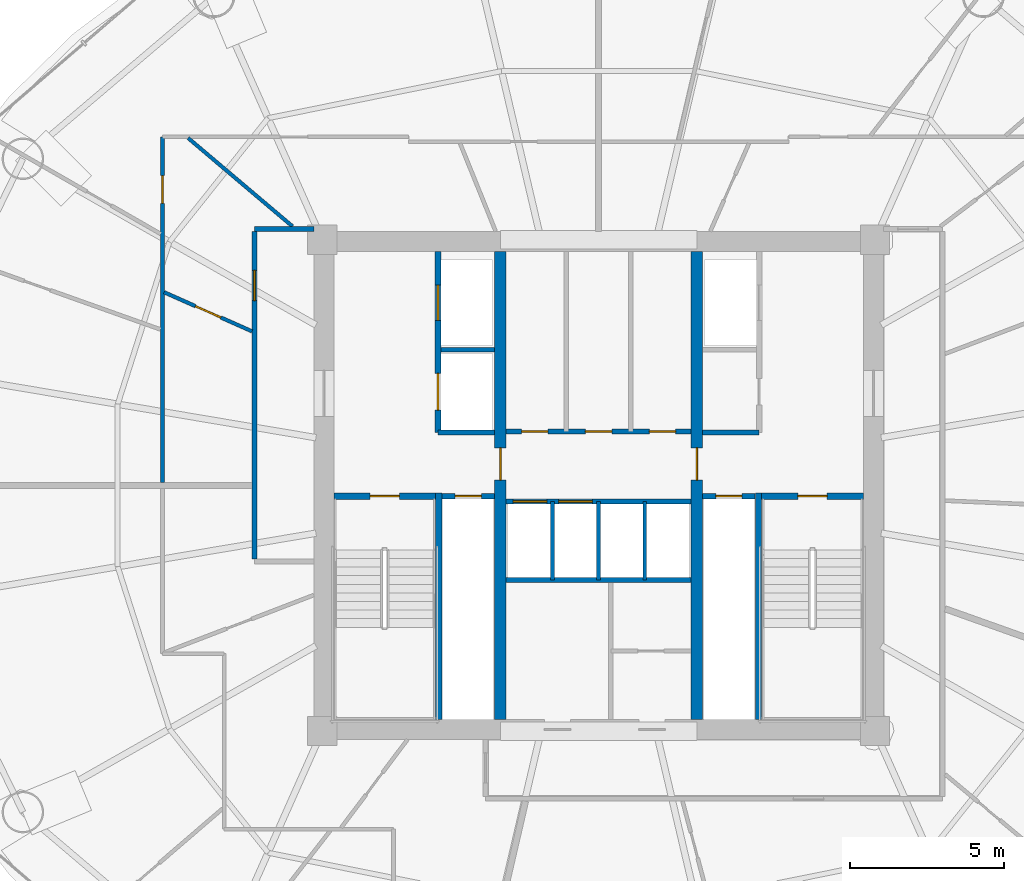
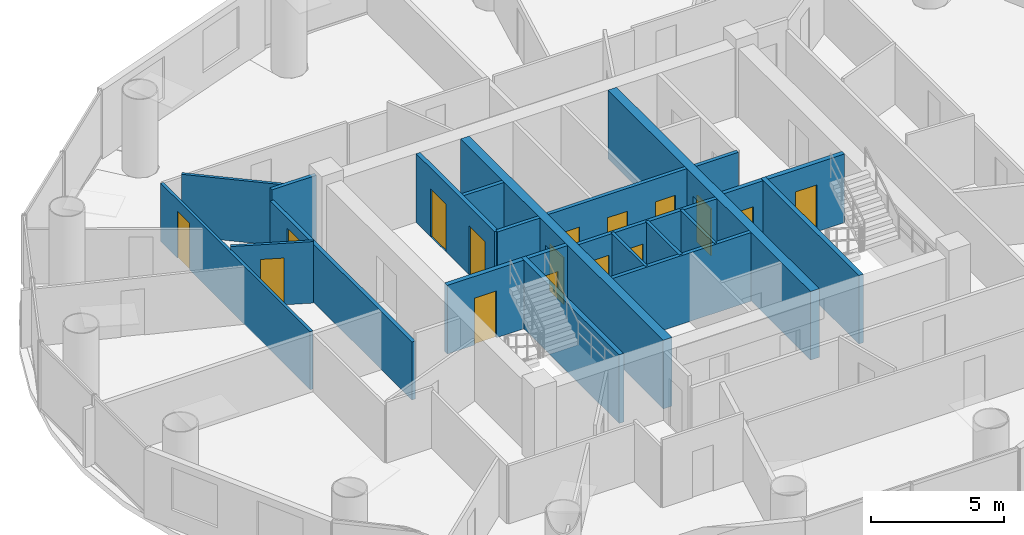
# One storey, part 21 of 26: 23 walls, 16 doors, 16 openings.
"""IFC4 building model written with IfcOpenShell, lengths in metres."""

from ifc_helpers import new_model, si_unit, direction, frame, frame_2d, origin, place, context, subcontext, project, spatial, rectangle, extrude, source, transform, mapped, material, layer, layer_set, type_object, element, fill, save


model = new_model("IFC4")

# Units and contexts
model_context = context("Model", 3, precision=1e-05, world=origin(), true_north=direction((-0.2419218956, 0.970295726276)))
body_context = subcontext(model_context, "Body", "Model", "MODEL_VIEW")
ifc_project = project(units=[si_unit("LENGTHUNIT", "METRE"), si_unit("AREAUNIT", "SQUARE_METRE"), si_unit("VOLUMEUNIT", "CUBIC_METRE"), si_unit("PLANEANGLEUNIT", "RADIAN"), si_unit("MASSUNIT", "GRAM", prefix="KILO")], contexts=[model_context])

# Site, building, storey
site_placement = place(None, origin())
site = spatial("IfcSite", under=ifc_project, at=site_placement, CompositionType="ELEMENT")
building_placement = place(site_placement, origin())
building = spatial("IfcBuilding", under=site, at=building_placement, Name="Cobrevalo Terracotta Tower", CompositionType="ELEMENT")
storey_placement = place(building_placement, frame((0.0, 0.0, 182.199951171875)))
storey = spatial("IfcBuildingStorey", under=building, at=storey_placement, Name="L48", CompositionType="ELEMENT", Elevation=182.199951171875)

# Walls
ifc_material_1 = material(Name="Gypsum board on steel stud", Category="steel")
ifc_layer_1 = layer(ifc_material_1, 0.159912109375)
ifc_layer_set_1 = layer_set([ifc_layer_1], Name="Gypsum board on steel stud")
wall_type_1 = type_object("IfcWallType", Name="Fire-rated corridor acoustic partition wall 160 mm", PredefinedType="PARTITIONING", material=ifc_layer_set_1)
wall_1_placement = place(storey_placement, frame((32.860107421875, 31.219970703125, 0.0), z_axis=(0.0, 0.0, 1.0), x_axis=(1.0, 0.0, 0.0)))
element("IfcWall", 1, at=wall_1_placement, inside=storey, type_object=wall_type_1, Name="L48 interior partition IW-L48-FF1-M", PredefinedType="PARTITIONING", context=body_context, shape_type="SweptSolid", body=[
    extrude(rectangle(XDim=1.75, YDim=0.159912109375, at=frame_2d((0.875, 0.0))), origin(), (0.0, 0.0, 1.0), 3.150146484375),
])
for number, where, z_axis, x_axis, name in (
    (2, (32.77001953125, 28.52001953125, 0.0), (0.0, 0.0, 1.0), (1.0, 0.0, 0.0), "L48 interior partition IW-L48-FF1-S"),
    (3, (41.389892578125, 28.52001953125, 0.0), (0.0, 0.0, 1.0), (1.0, 0.0, 0.0), "L48 interior partition IW-L48-FF2-S"),
):
    element("IfcWall", number, at=place(storey_placement, frame(where, z_axis=z_axis, x_axis=x_axis)), inside=storey, type_object=wall_type_1, Name=name, PredefinedType="PARTITIONING", context=body_context, shape_type="SweptSolid", body=[
        extrude(rectangle(XDim=1.840087890625, YDim=0.159912109375, at=frame_2d((0.919921875, 0.0))), origin(), (0.0, 0.0, 1.0), 3.150146484375),
    ])

# Wall, openings, doors
wall_2_placement = place(storey_placement, frame((34.989990234375, 28.56005859375, 0.0), z_axis=(0.0, 0.0, 1.0), x_axis=(1.0, 0.0, 0.0)))
wall_2 = element("IfcWall", 4, at=wall_2_placement, inside=storey, type_object=wall_type_1, Name="L48 interior partition IW-L48-LB-S", PredefinedType="PARTITIONING", context=body_context, shape_type="SweptSolid", body=[
    extrude(rectangle(XDim=6.02001953125, YDim=0.159912109375, at=frame_2d((3.010009765625, 0.0))), origin(), (0.0, 0.0, 1.0), 3.150146484375),
])
opening_1_placement = place(wall_2_placement, frame((0.5048828125, 0.0, 0.0)))
opening_1 = element("IfcOpeningElement", 5, at=opening_1_placement, cuts=wall_2, Name="Opening ID-22", PredefinedType="OPENING", context=body_context, shape_type="SweptSolid", body=[
    extrude(rectangle(XDim=0.85009765625, YDim=2.10009765625, at=frame_2d((0.425048828125, 1.050048828125))), frame((0.0, 0.08984375, 0.0), z_axis=(0.0, -1.0, 0.0), x_axis=(1.0, 0.0, 0.0)), (0.0, 0.0, 1.0), 0.179931640625),
])
opening_2_placement = place(wall_2_placement, frame((2.580078125, 0.0, 0.0)))
opening_2 = element("IfcOpeningElement", 6, at=opening_2_placement, cuts=wall_2, Name="Opening ID-07", PredefinedType="OPENING", context=body_context, shape_type="SweptSolid", body=[
    extrude(rectangle(XDim=0.860107421875, YDim=2.10009765625, at=frame_2d((0.43017578125, 1.050048828125))), frame((0.0, 0.08984375, 0.0), z_axis=(0.0, -1.0, 0.0), x_axis=(1.0, 0.0, 0.0)), (0.0, 0.0, 1.0), 0.179931640625),
])
opening_3_placement = place(wall_2_placement, frame((4.6650390625, 0.0, 0.0)))
opening_3 = element("IfcOpeningElement", 7, at=opening_3_placement, cuts=wall_2, Name="Opening ID-22", PredefinedType="OPENING", context=body_context, shape_type="SweptSolid", body=[
    extrude(rectangle(XDim=0.85009765625, YDim=2.10009765625, at=frame_2d((0.425048828125, 1.050048828125))), frame((0.0, 0.08984375, 0.0), z_axis=(0.0, -1.0, 0.0), x_axis=(1.0, 0.0, 0.0)), (0.0, 0.0, 1.0), 0.179931640625),
])
ifc_material_2 = material(Name="Powder-coated steel", Category="steel")
door_type_1 = type_object("IfcDoorType", Name="Riser shaft & meter closet fire access door 850x2100 EI 60", OperationType="NOTDEFINED", PredefinedType="DOOR", material=ifc_material_2)
shared_shape_1 = source(origin(), body_context, "Body", "SweptSolid", [
    extrude(rectangle(XDim=0.85009765625, YDim=2.10009765625, at=frame_2d((0.425048828125, 1.050048828125))), frame((0.0, 0.02490234375, 0.0), z_axis=(0.0, -1.0, 0.0), x_axis=(1.0, 0.0, 0.0)), (0.0, 0.0, 1.0), 0.050048828125),
])
door_1_placement = place(opening_1_placement, origin())
door_1 = element("IfcDoor", 8, at=door_1_placement, inside=storey, type_object=door_type_1, Name="L48 core service door Housekeeping Linen Store", OperationType="SINGLE_SWING_LEFT", OverallHeight=2.10009765625, OverallWidth=0.85009765625, PredefinedType="DOOR", context=body_context, shape_type="MappedRepresentation", body=[
    mapped(shared_shape_1, transform((0.0, 0.0, 0.0), scale=1.0)),
])
fill(opening_1, door_1)
door_2_placement = place(opening_3_placement, origin())
door_2 = element("IfcDoor", 9, at=door_2_placement, inside=storey, type_object=door_type_1, Name="L48 core service door Floor BMS Mechanical Plant", OperationType="SINGLE_SWING_LEFT", OverallHeight=2.10009765625, OverallWidth=0.85009765625, PredefinedType="DOOR", context=body_context, shape_type="MappedRepresentation", body=[
    mapped(shared_shape_1, transform((0.0, 0.0, 0.0), scale=1.0)),
])
fill(opening_3, door_2)
ifc_material_3 = material(Name="Fire-rated moisture-sealed timber", Category="wood")
door_type_2 = type_object("IfcDoorType", Name="Core & podium fire-rated accessible WC door 860x2100 EI 60", OperationType="NOTDEFINED", PredefinedType="DOOR", material=ifc_material_3)
shared_shape_2 = source(origin(), body_context, "Body", "SweptSolid", [
    extrude(rectangle(XDim=0.860107421875, YDim=2.10009765625, at=frame_2d((0.43017578125, 1.050048828125))), frame((0.0, 0.02490234375, 0.0), z_axis=(0.0, -1.0, 0.0), x_axis=(1.0, 0.0, 0.0)), (0.0, 0.0, 1.0), 0.050048828125),
])
door_3_placement = place(opening_2_placement, origin())
door_3 = element("IfcDoor", 10, at=door_3_placement, inside=storey, type_object=door_type_2, Name="L48 core service door Floor Service Toilet WC", OperationType="SINGLE_SWING_RIGHT", OverallHeight=2.10009765625, OverallWidth=0.860107421875, PredefinedType="DOOR", context=body_context, shape_type="MappedRepresentation", body=[
    mapped(shared_shape_2, transform((0.0, 0.0, 0.0), scale=1.0)),
])
fill(opening_2, door_3)

wall_3_placement = place(storey_placement, frame((34.989990234375, 26.280029296875, 0.0), z_axis=(0.0, 0.0, 1.0), x_axis=(1.0, 0.0, 0.0)))
wall_3 = element("IfcWall", 11, at=wall_3_placement, inside=storey, type_object=wall_type_1, Name="L48 interior partition IW-L48-MB-N", PredefinedType="PARTITIONING", context=body_context, shape_type="SweptSolid", body=[
    extrude(rectangle(XDim=6.02001953125, YDim=0.159912109375, at=frame_2d((3.010009765625, 0.0))), origin(), (0.0, 0.0, 1.0), 3.150146484375),
])
opening_4_placement = place(wall_3_placement, frame((0.22509765625, 0.0, 0.0)))
opening_4 = element("IfcOpeningElement", 12, at=opening_4_placement, cuts=wall_3, Name="Opening LD-01", PredefinedType="OPENING", context=body_context, shape_type="SweptSolid", body=[
    extrude(rectangle(XDim=1.10009765625, YDim=2.199951171875, at=frame_2d((0.550048828125, 1.10009765625))), frame((0.0, 0.08984375, 0.0), z_axis=(0.0, -1.0, 0.0), x_axis=(1.0, 0.0, 0.0)), (0.0, 0.0, 1.0), 0.179931640625),
])
opening_5_placement = place(wall_3_placement, frame((1.705078125, 0.0, 0.0)))
opening_5 = element("IfcOpeningElement", 13, at=opening_5_placement, cuts=wall_3, Name="Opening LD-01", PredefinedType="OPENING", context=body_context, shape_type="SweptSolid", body=[
    extrude(rectangle(XDim=1.10009765625, YDim=2.199951171875, at=frame_2d((0.550048828125, 1.10009765625))), frame((0.0, 0.08984375, 0.0), z_axis=(0.0, -1.0, 0.0), x_axis=(1.0, 0.0, 0.0)), (0.0, 0.0, 1.0), 0.179931640625),
])
ifc_material_4 = material(Name="Brushed stainless steel", Category="steel")
door_type_3 = type_object("IfcDoorType", Name="Passenger lift landing bi-parting sliding door 1100x2200 EI 90", OperationType="DOUBLE_DOOR_SLIDING", PredefinedType="DOOR", material=ifc_material_4)
shared_shape_3 = source(origin(), body_context, "Body", "SweptSolid", [
    extrude(rectangle(XDim=1.10009765625, YDim=2.199951171875, at=frame_2d((0.550048828125, 1.10009765625))), frame((0.0, 0.02490234375, 0.0), z_axis=(0.0, -1.0, 0.0), x_axis=(1.0, 0.0, 0.0)), (0.0, 0.0, 1.0), 0.050048828125),
])
door_4_placement = place(opening_4_placement, origin())
door_4 = element("IfcDoor", 14, at=door_4_placement, inside=storey, type_object=door_type_3, Name="L48 lift landing door PL-M1", OperationType="DOUBLE_DOOR_SLIDING", OverallHeight=2.199951171875, OverallWidth=1.10009765625, PredefinedType="DOOR", context=body_context, shape_type="MappedRepresentation", body=[
    mapped(shared_shape_3, transform((0.0, 0.0, 0.0), scale=1.0)),
])
fill(opening_4, door_4)
door_5_placement = place(opening_5_placement, origin())
door_5 = element("IfcDoor", 15, at=door_5_placement, inside=storey, type_object=door_type_3, Name="L48 lift landing door PL-M2", OperationType="DOUBLE_DOOR_SLIDING", OverallHeight=2.199951171875, OverallWidth=1.10009765625, PredefinedType="DOOR", context=body_context, shape_type="MappedRepresentation", body=[
    mapped(shared_shape_3, transform((0.0, 0.0, 0.0), scale=1.0)),
])
fill(opening_5, door_5)

# Wall
wall_4_placement = place(storey_placement, frame((34.989990234375, 23.719970703125, 0.0), z_axis=(0.0, 0.0, 1.0), x_axis=(1.0, 0.0, 0.0)))
element("IfcWall", 16, at=wall_4_placement, inside=storey, type_object=wall_type_1, Name="L48 interior partition IW-L48-MB-S", PredefinedType="PARTITIONING", context=body_context, shape_type="SweptSolid", body=[
    extrude(rectangle(XDim=6.02001953125, YDim=0.159912109375, at=frame_2d((3.010009765625, 0.0))), origin(), (0.0, 0.0, 1.0), 3.150146484375),
])

# Wall, opening, door
wall_5_placement = place(storey_placement, frame((26.794921875, 24.39990234375, 0.0), z_axis=(0.0, 0.0, 1.0), x_axis=(0.0, 1.0, 0.0)))
wall_5 = element("IfcWall", 17, at=wall_5_placement, inside=storey, type_object=wall_type_1, Name="L48 interior partition IW-L48-COR-W", PredefinedType="PARTITIONING", context=body_context, shape_type="SweptSolid", body=[
    extrude(rectangle(XDim=10.675048828125, YDim=0.159912109375, at=frame_2d((5.33740234375, 0.0))), origin(), (0.0, 0.0, 1.0), 2.666015625),
])
opening_6_placement = place(wall_5_placement, frame((8.422119140625, 0.0, 0.0)))
opening_6 = element("IfcOpeningElement", 18, at=opening_6_placement, cuts=wall_5, Name="Opening ID-05", PredefinedType="OPENING", context=body_context, shape_type="SweptSolid", body=[
    extrude(rectangle(XDim=0.97998046875, YDim=2.199951171875, at=frame_2d((0.489990234375, 1.10009765625))), frame((0.0, 0.08984375, 0.0), z_axis=(0.0, -1.0, 0.0), x_axis=(1.0, 0.0, 0.0)), (0.0, 0.0, 1.0), 0.179931640625),
])
ifc_material_5 = material(Name="Solid hardwood timber", Category="wood")
door_type_4 = type_object("IfcDoorType", Name="Residence entrance fire-rated acoustic timber door 980x2200 EI 60", OperationType="NOTDEFINED", PredefinedType="DOOR", material=ifc_material_5)
shared_shape_4 = source(origin(), body_context, "Body", "SweptSolid", [
    extrude(rectangle(XDim=0.97998046875, YDim=2.199951171875, at=frame_2d((0.489990234375, 1.10009765625))), frame((0.0, 0.02490234375, 0.0), z_axis=(0.0, -1.0, 0.0), x_axis=(1.0, 0.0, 0.0)), (0.0, 0.0, 1.0), 0.050048828125),
])
door_6_placement = place(opening_6_placement, origin())
door_6 = element("IfcDoor", 19, at=door_6_placement, inside=storey, type_object=door_type_4, Name="Flat L48B fire-rated apartment entrance door", OperationType="SINGLE_SWING_RIGHT", OverallHeight=2.199951171875, OverallWidth=0.97998046875, PredefinedType="DOOR", context=body_context, shape_type="MappedRepresentation", body=[
    mapped(shared_shape_4, transform((0.0, 0.0, 0.0), scale=1.0)),
])
fill(opening_6, door_6)

# Wall
wall_6_placement = place(storey_placement, frame((26.794921875, 35.155029296875, 0.0), z_axis=(0.0, 0.0, 1.0), x_axis=(1.0, 0.0, 0.0)))
element("IfcWall", 20, at=wall_6_placement, inside=storey, type_object=wall_type_1, Name="L48 interior partition IW-L48-COR-WN-CAP", PredefinedType="PARTITIONING", context=body_context, shape_type="SweptSolid", body=[
    extrude(rectangle(XDim=1.93017578125, YDim=0.159912109375, at=frame_2d((0.965087890625, 0.0))), origin(), (0.0, 0.0, 1.0), 3.150146484375),
])

# Wall, opening, door
ifc_layer_2 = layer(ifc_material_1, 0.179931640625)
ifc_layer_set_2 = layer_set([ifc_layer_2], Name="Gypsum board on steel stud")
wall_type_2 = type_object("IfcWallType", Name="Fire-rated shaft & lobby acoustic partition wall 180 mm", PredefinedType="PARTITIONING", material=ifc_layer_set_2)
wall_7_placement = place(storey_placement, frame((32.89990234375, 26.449951171875, 0.0), z_axis=(0.0, 0.0, 1.0), x_axis=(1.0, 0.0, 0.0)))
wall_7 = element("IfcWall", 21, at=wall_7_placement, inside=storey, type_object=wall_type_2, Name="L48 interior partition IW-L48-RSW-N", PredefinedType="PARTITIONING", context=body_context, shape_type="SweptSolid", body=[
    extrude(rectangle(XDim=1.710205078125, YDim=0.179931640625, at=frame_2d((0.85498046875, 0.0))), origin(), (0.0, 0.0, 1.0), 3.150146484375),
])
opening_7_placement = place(wall_7_placement, frame((0.429931640625, 0.0, 0.0)))
opening_7 = element("IfcOpeningElement", 22, at=opening_7_placement, cuts=wall_7, Name="Opening ID-22", PredefinedType="OPENING", context=body_context, shape_type="SweptSolid", body=[
    extrude(rectangle(XDim=0.85009765625, YDim=2.10009765625, at=frame_2d((0.425048828125, 1.050048828125))), frame((0.0, 0.10009765625, 0.0), z_axis=(0.0, -1.0, 0.0), x_axis=(1.0, 0.0, 0.0)), (0.0, 0.0, 1.0), 0.199951171875),
])
door_7_placement = place(opening_7_placement, origin())
door_7 = element("IfcDoor", 23, at=door_7_placement, inside=storey, type_object=door_type_1, Name="L48 riser access door RSW", OperationType="SINGLE_SWING_LEFT", OverallHeight=2.10009765625, OverallWidth=0.85009765625, PredefinedType="DOOR", context=body_context, shape_type="MappedRepresentation", body=[
    mapped(shared_shape_1, transform((0.0, 0.0, 0.0), scale=1.0)),
])
fill(opening_7, door_7)

wall_8_placement = place(storey_placement, frame((41.389892578125, 26.449951171875, 0.0), z_axis=(0.0, 0.0, 1.0), x_axis=(1.0, 0.0, 0.0)))
wall_8 = element("IfcWall", 24, at=wall_8_placement, inside=storey, type_object=wall_type_2, Name="L48 interior partition IW-L48-RSE-N", PredefinedType="PARTITIONING", context=body_context, shape_type="SweptSolid", body=[
    extrude(rectangle(XDim=1.710205078125, YDim=0.179931640625, at=frame_2d((0.85498046875, 0.0))), origin(), (0.0, 0.0, 1.0), 3.150146484375),
])
opening_8_placement = place(wall_8_placement, frame((0.429931640625, 0.0, 0.0)))
opening_8 = element("IfcOpeningElement", 25, at=opening_8_placement, cuts=wall_8, Name="Opening ID-22", PredefinedType="OPENING", context=body_context, shape_type="SweptSolid", body=[
    extrude(rectangle(XDim=0.85009765625, YDim=2.10009765625, at=frame_2d((0.425048828125, 1.050048828125))), frame((0.0, 0.10009765625, 0.0), z_axis=(0.0, -1.0, 0.0), x_axis=(1.0, 0.0, 0.0)), (0.0, 0.0, 1.0), 0.199951171875),
])
door_8_placement = place(opening_8_placement, origin())
door_8 = element("IfcDoor", 26, at=door_8_placement, inside=storey, type_object=door_type_1, Name="L48 riser access door RSE", OperationType="SINGLE_SWING_RIGHT", OverallHeight=2.10009765625, OverallWidth=0.85009765625, PredefinedType="DOOR", context=body_context, shape_type="MappedRepresentation", body=[
    mapped(shared_shape_1, transform((0.0, 0.0, 0.0), scale=1.0)),
])
fill(opening_8, door_8)

# Wall, openings, doors
wall_9_placement = place(storey_placement, frame((32.77001953125, 28.52001953125, 0.0), z_axis=(0.0, 0.0, 1.0), x_axis=(0.0, 1.0, 0.0)))
wall_9 = element("IfcWall", 27, at=wall_9_placement, inside=storey, type_object=wall_type_2, Name="L48 interior partition IW-L48-FF1-W", PredefinedType="PARTITIONING", context=body_context, shape_type="SweptSolid", body=[
    extrude(rectangle(XDim=5.905029296875, YDim=0.179931640625, at=frame_2d((2.95263671875, 0.0))), origin(), (0.0, 0.0, 1.0), 3.150146484375),
])
opening_9_placement = place(wall_9_placement, frame((3.655029296875, 0.0, 0.0)))
opening_9 = element("IfcOpeningElement", 28, at=opening_9_placement, cuts=wall_9, Name="Opening LD-02", PredefinedType="OPENING", context=body_context, shape_type="SweptSolid", body=[
    extrude(rectangle(XDim=1.14990234375, YDim=2.199951171875, at=frame_2d((0.574951171875, 1.10009765625))), frame((0.0, 0.10009765625, 0.0), z_axis=(0.0, -1.0, 0.0), x_axis=(1.0, 0.0, 0.0)), (0.0, 0.0, 1.0), 0.199951171875),
])
opening_10_placement = place(wall_9_placement, frame((0.72998046875, 0.0, 0.0)))
opening_10 = element("IfcOpeningElement", 29, at=opening_10_placement, cuts=wall_9, Name="Opening LD-03", PredefinedType="OPENING", context=body_context, shape_type="SweptSolid", body=[
    extrude(rectangle(XDim=1.199951171875, YDim=2.25, at=frame_2d((0.60009765625, 1.125))), frame((0.0, 0.10009765625, 0.0), z_axis=(0.0, -1.0, 0.0), x_axis=(1.0, 0.0, 0.0)), (0.0, 0.0, 1.0), 0.199951171875),
])
door_type_5 = type_object("IfcDoorType", Name="Firefighting lift landing bi-parting sliding door 1150x2200 EI 120", OperationType="DOUBLE_DOOR_SLIDING", PredefinedType="DOOR", material=ifc_material_4)
shared_shape_5 = source(origin(), body_context, "Body", "SweptSolid", [
    extrude(rectangle(XDim=1.14990234375, YDim=2.199951171875, at=frame_2d((0.574951171875, 1.10009765625))), frame((0.0, 0.02490234375, 0.0), z_axis=(0.0, -1.0, 0.0), x_axis=(1.0, 0.0, 0.0)), (0.0, 0.0, 1.0), 0.050048828125),
])
door_9_placement = place(opening_9_placement, origin())
door_9 = element("IfcDoor", 30, at=door_9_placement, inside=storey, type_object=door_type_5, Name="L48 lift landing door FF-1", OperationType="DOUBLE_DOOR_SLIDING", OverallHeight=2.199951171875, OverallWidth=1.14990234375, PredefinedType="DOOR", context=body_context, shape_type="MappedRepresentation", body=[
    mapped(shared_shape_5, transform((0.0, 0.0, 0.0), scale=1.0)),
])
fill(opening_9, door_9)
door_type_6 = type_object("IfcDoorType", Name="Service lift landing bi-parting sliding door 1200x2250 EI 120", OperationType="DOUBLE_DOOR_SLIDING", PredefinedType="DOOR", material=ifc_material_4)
shared_shape_6 = source(origin(), body_context, "Body", "SweptSolid", [
    extrude(rectangle(XDim=1.199951171875, YDim=2.25, at=frame_2d((0.60009765625, 1.125))), frame((0.0, 0.02490234375, 0.0), z_axis=(0.0, -1.0, 0.0), x_axis=(1.0, 0.0, 0.0)), (0.0, 0.0, 1.0), 0.050048828125),
])
door_10_placement = place(opening_10_placement, origin())
door_10 = element("IfcDoor", 31, at=door_10_placement, inside=storey, type_object=door_type_6, Name="L48 lift landing door SV-1", OperationType="DOUBLE_DOOR_SLIDING", OverallHeight=2.25, OverallWidth=1.199951171875, PredefinedType="DOOR", context=body_context, shape_type="MappedRepresentation", body=[
    mapped(shared_shape_6, transform((0.0, 0.0, 0.0), scale=1.0)),
])
fill(opening_10, door_10)

# Walls
ifc_material_6 = material(Name="Autoclaved aerated concrete block", Category="concrete")
ifc_layer_3 = layer(ifc_material_6, 0.1201171875)
ifc_layer_set_3 = layer_set([ifc_layer_3], Name="Autoclaved aerated concrete block")
wall_type_3 = type_object("IfcWallType", Name="Fire-rated wet-room & core service partition 120 mm", PredefinedType="PARTITIONING", material=ifc_layer_set_3)
for number, where, z_axis, x_axis, name in (
    (32, (36.5, 23.719970703125, 0.0), (0.0, 0.0, 1.0), (0.0, 1.0, 0.0), "L48 interior partition IW-L48-MB-D1"),
    (33, (39.5, 23.719970703125, 0.0), (0.0, 0.0, 1.0), (0.0, 1.0, 0.0), "L48 interior partition IW-L48-MB-D3"),
):
    element("IfcWall", number, at=place(storey_placement, frame(where, z_axis=z_axis, x_axis=x_axis)), inside=storey, type_object=wall_type_3, Name=name, PredefinedType="PARTITIONING", context=body_context, shape_type="SweptSolid", body=[
        extrude(rectangle(XDim=2.56005859375, YDim=0.1201171875, at=frame_2d((1.280029296875, 0.0))), origin(), (0.0, 0.0, 1.0), 3.150146484375),
    ])

# Wall, opening, door
ifc_material_7 = material(Name="Concrete C50", Category="concrete")
ifc_layer_4 = layer(ifc_material_7, 0.3798828125)
ifc_layer_set_4 = layer_set([ifc_layer_4], Name="Concrete C50")
wall_type_4 = type_object("IfcWallType", Name="Internal core shear web wall 380 mm Concrete C50", PredefinedType="SHEAR", material=ifc_layer_set_4)
wall_10_placement = place(storey_placement, frame((34.800048828125, 19.175048828125, 0.0), z_axis=(0.0, 0.0, 1.0), x_axis=(0.0, 1.0, 0.0)))
wall_10 = element("IfcWall", 34, at=wall_10_placement, inside=storey, type_object=wall_type_4, Name="L48 internal core shear wall WEB-W", PredefinedType="SHEAR", context=body_context, shape_type="SweptSolid", body=[
    extrude(rectangle(XDim=15.25, YDim=0.3798828125, at=frame_2d((7.625, 0.0))), origin(), (0.0, 0.0, 1.0), 3.150146484375),
])
opening_11_placement = place(wall_10_placement, frame((7.800048828125, 0.0, 0.0)))
opening_11 = element("IfcOpeningElement", 35, at=opening_11_placement, cuts=wall_10, Name="Opening ID-11", PredefinedType="OPENING", context=body_context, shape_type="SweptSolid", body=[
    extrude(rectangle(XDim=1.050048828125, YDim=2.14990234375, at=frame_2d((0.52490234375, 1.074951171875))), frame((0.0, 0.199951171875, 0.0), z_axis=(0.0, -1.0, 0.0), x_axis=(1.0, 0.0, 0.0)), (0.0, 0.0, 1.0), 0.39990234375),
])
ifc_material_8 = material(Name="Galvanized fire-rated steel", Category="steel")
door_type_7 = type_object("IfcDoorType", Name="Core concourse cross fire door 1050x2150 EI 90", OperationType="NOTDEFINED", PredefinedType="DOOR", material=ifc_material_8)
shared_shape_7 = source(origin(), body_context, "Body", "SweptSolid", [
    extrude(rectangle(XDim=1.050048828125, YDim=2.14990234375, at=frame_2d((0.52490234375, 1.074951171875))), frame((0.0, 0.02490234375, 0.0), z_axis=(0.0, -1.0, 0.0), x_axis=(1.0, 0.0, 0.0)), (0.0, 0.0, 1.0), 0.050048828125),
])
door_11_placement = place(opening_11_placement, origin())
door_11 = element("IfcDoor", 36, at=door_11_placement, inside=storey, type_object=door_type_7, Name="L48 west core concourse cross door", OperationType="SINGLE_SWING_LEFT", OverallHeight=2.14990234375, OverallWidth=1.050048828125, PredefinedType="DOOR", context=body_context, shape_type="MappedRepresentation", body=[
    mapped(shared_shape_7, transform((0.0, 0.0, 0.0), scale=1.0)),
])
fill(opening_11, door_11)

wall_11_placement = place(storey_placement, frame((41.199951171875, 19.175048828125, 0.0), z_axis=(0.0, 0.0, 1.0), x_axis=(0.0, 1.0, 0.0)))
wall_11 = element("IfcWall", 37, at=wall_11_placement, inside=storey, type_object=wall_type_4, Name="L48 internal core shear wall WEB-E", PredefinedType="SHEAR", context=body_context, shape_type="SweptSolid", body=[
    extrude(rectangle(XDim=15.25, YDim=0.3798828125, at=frame_2d((7.625, 0.0))), origin(), (0.0, 0.0, 1.0), 3.150146484375),
])
opening_12_placement = place(wall_11_placement, frame((7.800048828125, 0.0, 0.0)))
opening_12 = element("IfcOpeningElement", 38, at=opening_12_placement, cuts=wall_11, Name="Opening ID-11", PredefinedType="OPENING", context=body_context, shape_type="SweptSolid", body=[
    extrude(rectangle(XDim=1.050048828125, YDim=2.14990234375, at=frame_2d((0.52490234375, 1.074951171875))), frame((0.0, 0.199951171875, 0.0), z_axis=(0.0, -1.0, 0.0), x_axis=(1.0, 0.0, 0.0)), (0.0, 0.0, 1.0), 0.39990234375),
])
door_12_placement = place(opening_12_placement, frame((1.050048828125, 0.0, 0.0), z_axis=(0.0, 0.0, 1.0), x_axis=(-1.0, 0.0, 0.0)))
door_12 = element("IfcDoor", 39, at=door_12_placement, inside=storey, type_object=door_type_7, Name="L48 east core concourse cross door", OperationType="SINGLE_SWING_RIGHT", OverallHeight=2.14990234375, OverallWidth=1.050048828125, PredefinedType="DOOR", context=body_context, shape_type="MappedRepresentation", body=[
    mapped(shared_shape_7, transform((0.0, 0.0, 0.0), scale=1.0)),
])
fill(opening_12, door_12)

# Wall
ifc_layer_5 = layer(ifc_material_6, 0.139892578125)
ifc_layer_set_5 = layer_set([ifc_layer_5], Name="Autoclaved aerated concrete block")
wall_type_5 = type_object("IfcWallType", Name="Moisture-resistant wet-room & core service partition 140 mm", PredefinedType="PARTITIONING", material=ifc_layer_set_5)
wall_12_placement = place(storey_placement, frame((38.0, 23.719970703125, 0.0), z_axis=(0.0, 0.0, 1.0), x_axis=(0.0, 1.0, 0.0)))
element("IfcWall", 40, at=wall_12_placement, inside=storey, type_object=wall_type_5, Name="L48 interior partition IW-L48-MB-D2", PredefinedType="PARTITIONING", context=body_context, shape_type="SweptSolid", body=[
    extrude(rectangle(XDim=2.56005859375, YDim=0.139892578125, at=frame_2d((1.280029296875, 0.0))), origin(), (0.0, 0.0, 1.0), 3.150146484375),
])

# Wall, opening, door
ifc_layer_6 = layer(ifc_material_1, 0.1201171875)
ifc_layer_set_6 = layer_set([ifc_layer_6], Name="Gypsum board on steel stud")
wall_type_6 = type_object("IfcWallType", Name="Residential internal acoustic stud partition 120 mm", PredefinedType="PARTITIONING", material=ifc_layer_set_6)
wall_13_placement = place(storey_placement, frame((23.794921875, 26.902099609375, 0.0), z_axis=(0.0, 0.0, 1.0), x_axis=(0.0, 1.0, 0.0)))
wall_13 = element("IfcWall", 41, at=wall_13_placement, inside=storey, type_object=wall_type_6, Name="L48 interior partition IW-L48-U2-RING0_0", PredefinedType="PARTITIONING", context=body_context, shape_type="SweptSolid", body=[
    extrude(rectangle(XDim=11.2529296875, YDim=0.1201171875, at=frame_2d((5.62646484375, 0.0))), origin(), (0.0, 0.0, 1.0), 2.666015625),
])
opening_13_placement = place(wall_13_placement, frame((9.084716796875, 0.0, 0.0)))
opening_13 = element("IfcOpeningElement", 42, at=opening_13_placement, cuts=wall_13, Name="Opening ID-12", PredefinedType="OPENING", context=body_context, shape_type="SweptSolid", body=[
    extrude(rectangle(XDim=0.89990234375, YDim=2.14990234375, at=frame_2d((0.449951171875, 1.074951171875))), frame((0.0, 0.070068359375, 0.0), z_axis=(0.0, -1.0, 0.0), x_axis=(1.0, 0.0, 0.0)), (0.0, 0.0, 1.0), 0.14013671875),
])
ifc_material_9 = material(Name="Engineered timber", Category="wood")
door_type_8 = type_object("IfcDoorType", Name="Internal residence & suite timber door 900x2150", OperationType="NOTDEFINED", PredefinedType="DOOR", material=ifc_material_9)
shared_shape_8 = source(origin(), body_context, "Body", "SweptSolid", [
    extrude(rectangle(XDim=0.89990234375, YDim=2.14990234375, at=frame_2d((0.449951171875, 1.074951171875))), frame((0.0, 0.02490234375, 0.0), z_axis=(0.0, -1.0, 0.0), x_axis=(1.0, 0.0, 0.0)), (0.0, 0.0, 1.0), 0.050048828125),
])
door_13_placement = place(opening_13_placement, frame((0.89990234375, 0.0, 0.0), z_axis=(0.0, 0.0, 1.0), x_axis=(-1.0, 0.0, 0.0)))
door_13 = element("IfcDoor", 43, at=door_13_placement, inside=storey, type_object=door_type_8, Name="Flat L48B Penthouse Living and Dining Room internal door", OperationType="SINGLE_SWING_LEFT", OverallHeight=2.14990234375, OverallWidth=0.89990234375, PredefinedType="DOOR", context=body_context, shape_type="MappedRepresentation", body=[
    mapped(shared_shape_8, transform((0.0, 0.0, 0.0), scale=1.0)),
])
fill(opening_13, door_13)

# Wall
wall_14_placement = place(storey_placement, frame((28.032470703125, 35.236328125, 0.0), z_axis=(0.0, 0.0, 1.0), x_axis=(-0.763321857138, 0.646018376221, 0.0)))
element("IfcWall", 44, at=wall_14_placement, inside=storey, type_object=wall_type_6, Name="L48 interior partition IW-L48-U2-IRAD2", PredefinedType="PARTITIONING", context=body_context, shape_type="SweptSolid", body=[
    extrude(rectangle(XDim=4.4560546875, YDim=0.1201171875, at=frame_2d((2.22802734375, 0.0))), origin(), (0.0, 0.0, 1.0), 2.824951171875),
])

# Wall, opening, door
wall_15_placement = place(storey_placement, frame((26.715087890625, 31.817626953125, 0.0), z_axis=(0.0, 0.0, 1.0), x_axis=(-0.913750499147, 0.406275799561, 0.0)))
wall_15 = element("IfcWall", 45, at=wall_15_placement, inside=storey, type_object=wall_type_6, Name="L48 interior partition IW-L48-U2-IRAD3", PredefinedType="PARTITIONING", context=body_context, shape_type="SweptSolid", body=[
    extrude(rectangle(XDim=3.1337890625, YDim=0.1201171875, at=frame_2d((1.56689453125, 0.0))), origin(), (0.0, 0.0, 1.0), 2.824951171875),
])
opening_14_placement = place(wall_15_placement, frame((1.11669921875, 0.0, 0.0)))
opening_14 = element("IfcOpeningElement", 46, at=opening_14_placement, cuts=wall_15, Name="Opening ID-12", PredefinedType="OPENING", context=body_context, shape_type="SweptSolid", body=[
    extrude(rectangle(XDim=0.89990234375, YDim=2.14990234375, at=frame_2d((0.449951171875, 1.074951171875))), frame((0.0, 0.070068359375, 0.0), z_axis=(0.0, -1.0, 0.0), x_axis=(1.0, 0.0, 0.0)), (0.0, 0.0, 1.0), 0.14013671875),
])
door_14_placement = place(opening_14_placement, origin())
door_14 = element("IfcDoor", 47, at=door_14_placement, inside=storey, type_object=door_type_8, Name="Flat L48B Private Library Meeting Room internal door", OperationType="SINGLE_SWING_LEFT", OverallHeight=2.14990234375, OverallWidth=0.89990234375, PredefinedType="DOOR", context=body_context, shape_type="MappedRepresentation", body=[
    mapped(shared_shape_8, transform((0.0, 0.0, 0.0), scale=1.0)),
])
fill(opening_14, door_14)

# Wall
ifc_layer_7 = layer(ifc_material_7, 0.199951171875)
ifc_layer_set_7 = layer_set([ifc_layer_7], Name="Concrete C50")
wall_type_7 = type_object("IfcWallType", Name="Structural core & podium stair-shaft RC wall 200 mm Concrete C50", PredefinedType="SOLIDWALL", material=ifc_layer_set_7)
wall_16_placement = place(storey_placement, frame((32.794921875, 19.175048828125, 0.0), z_axis=(0.0, 0.0, 1.0), x_axis=(0.0, 1.0, 0.0)))
element("IfcWall", 48, at=wall_16_placement, inside=storey, type_object=wall_type_7, Name="L48 ST-1 east structural shaft wall", PredefinedType="SOLIDWALL", context=body_context, shape_type="SweptSolid", body=[
    extrude(rectangle(XDim=7.375, YDim=0.199951171875, at=frame_2d((3.6875, 0.0))), origin(), (0.0, 0.0, 1.0), 3.150146484375),
])

# Wall, opening, door
wall_17_placement = place(storey_placement, frame((29.375, 26.449951171875, 0.0), z_axis=(0.0, 0.0, 1.0), x_axis=(1.0, 0.0, 0.0)))
wall_17 = element("IfcWall", 49, at=wall_17_placement, inside=storey, type_object=wall_type_7, Name="L48 ST-1 north structural shaft wall", PredefinedType="SOLIDWALL", context=body_context, shape_type="SweptSolid", body=[
    extrude(rectangle(XDim=3.320068359375, YDim=0.199951171875, at=frame_2d((1.66015625, 0.0))), origin(), (0.0, 0.0, 1.0), 3.150146484375),
])
opening_15_placement = place(wall_17_placement, frame((1.18505859375, 0.0, 0.0)))
opening_15 = element("IfcOpeningElement", 50, at=opening_15_placement, cuts=wall_17, Name="Opening ID-04", PredefinedType="OPENING", context=body_context, shape_type="SweptSolid", body=[
    extrude(rectangle(XDim=0.949951171875, YDim=2.14990234375, at=frame_2d((0.47509765625, 1.074951171875))), frame((0.0, 0.10986328125, 0.0), z_axis=(0.0, -1.0, 0.0), x_axis=(1.0, 0.0, 0.0)), (0.0, 0.0, 1.0), 0.219970703125),
])
door_type_9 = type_object("IfcDoorType", Name="Stair & firefighting lobby fire door 950x2150 EI 90", OperationType="NOTDEFINED", PredefinedType="DOOR", material=ifc_material_8)
shared_shape_9 = source(origin(), body_context, "Body", "SweptSolid", [
    extrude(rectangle(XDim=0.949951171875, YDim=2.14990234375, at=frame_2d((0.47509765625, 1.074951171875))), frame((0.0, 0.02490234375, 0.0), z_axis=(0.0, -1.0, 0.0), x_axis=(1.0, 0.0, 0.0)), (0.0, 0.0, 1.0), 0.050048828125),
])
door_15_placement = place(opening_15_placement, origin())
door_15 = element("IfcDoor", 51, at=door_15_placement, inside=storey, type_object=door_type_9, Name="L48 protected stair ST1 fire door", OperationType="SINGLE_SWING_LEFT", OverallHeight=2.14990234375, OverallWidth=0.949951171875, PredefinedType="DOOR", context=body_context, shape_type="MappedRepresentation", body=[
    mapped(shared_shape_9, transform((0.0, 0.0, 0.0), scale=1.0)),
])
fill(opening_15, door_15)

# Wall
wall_18_placement = place(storey_placement, frame((43.205078125, 19.175048828125, 0.0), z_axis=(0.0, 0.0, 1.0), x_axis=(0.0, 1.0, 0.0)))
element("IfcWall", 52, at=wall_18_placement, inside=storey, type_object=wall_type_7, Name="L48 ST-2 west structural shaft wall", PredefinedType="SOLIDWALL", context=body_context, shape_type="SweptSolid", body=[
    extrude(rectangle(XDim=7.375, YDim=0.199951171875, at=frame_2d((3.6875, 0.0))), origin(), (0.0, 0.0, 1.0), 3.150146484375),
])

# Wall, opening, door
wall_19_placement = place(storey_placement, frame((43.304931640625, 26.449951171875, 0.0), z_axis=(0.0, 0.0, 1.0), x_axis=(1.0, 0.0, 0.0)))
wall_19 = element("IfcWall", 53, at=wall_19_placement, inside=storey, type_object=wall_type_7, Name="L48 ST-2 north structural shaft wall", PredefinedType="SOLIDWALL", context=body_context, shape_type="SweptSolid", body=[
    extrude(rectangle(XDim=3.320068359375, YDim=0.199951171875, at=frame_2d((1.66015625, 0.0))), origin(), (0.0, 0.0, 1.0), 3.150146484375),
])
opening_16_placement = place(wall_19_placement, frame((1.18505859375, 0.0, 0.0)))
opening_16 = element("IfcOpeningElement", 54, at=opening_16_placement, cuts=wall_19, Name="Opening ID-04", PredefinedType="OPENING", context=body_context, shape_type="SweptSolid", body=[
    extrude(rectangle(XDim=0.949951171875, YDim=2.14990234375, at=frame_2d((0.47509765625, 1.074951171875))), frame((0.0, 0.10986328125, 0.0), z_axis=(0.0, -1.0, 0.0), x_axis=(1.0, 0.0, 0.0)), (0.0, 0.0, 1.0), 0.219970703125),
])
door_16_placement = place(opening_16_placement, frame((0.949951171875, 0.0, 0.0), z_axis=(0.0, 0.0, 1.0), x_axis=(-1.0, 0.0, 0.0)))
door_16 = element("IfcDoor", 55, at=door_16_placement, inside=storey, type_object=door_type_9, Name="L48 protected stair ST2 fire door", OperationType="SINGLE_SWING_RIGHT", OverallHeight=2.14990234375, OverallWidth=0.949951171875, PredefinedType="DOOR", context=body_context, shape_type="MappedRepresentation", body=[
    mapped(shared_shape_9, transform((0.0, 0.0, 0.0), scale=1.0)),
])
fill(opening_16, door_16)

save(model, "model.ifc")
